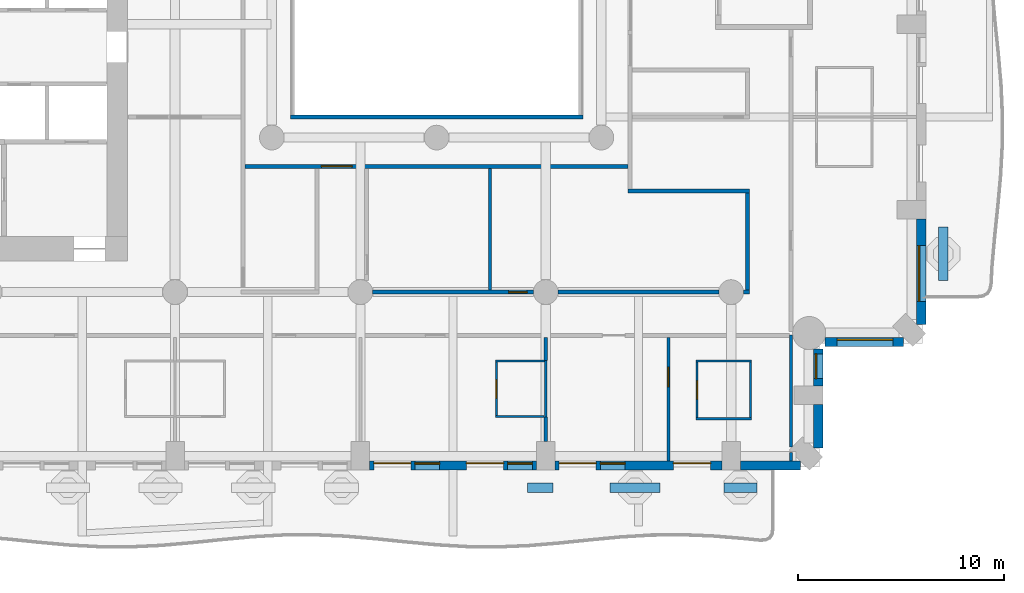
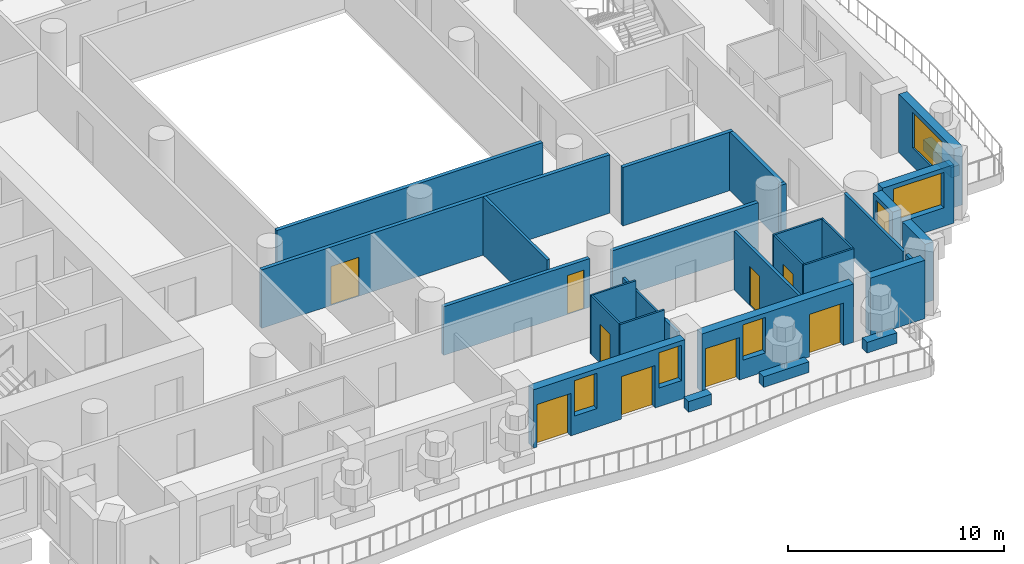
# One storey, part 5 of 19: 32 walls, 9 doors, 6 windows, 15 openings.
"""IFC4 building model written with IfcOpenShell, lengths in metres."""

from ifc_helpers import new_model, si_unit, direction, frame, frame_2d, origin, place, context, subcontext, project, spatial, rectangle, extrude, material, layer, layer_set, type_object, element, fill, save


model = new_model("IFC4")

# Units and contexts
model_context = context("Model", 3, precision=1e-05, world=origin(), true_north=direction((0.0, 1.0)))
body_context = subcontext(model_context, "Body", "Model", "MODEL_VIEW")
ifc_project = project(units=[si_unit("LENGTHUNIT", "METRE"), si_unit("AREAUNIT", "SQUARE_METRE"), si_unit("VOLUMEUNIT", "CUBIC_METRE"), si_unit("PLANEANGLEUNIT", "RADIAN"), si_unit("MASSUNIT", "GRAM", prefix="KILO")], contexts=[model_context])

# Site, building, storey
site_placement = place(None, origin())
site = spatial("IfcSite", under=ifc_project, at=site_placement, CompositionType="ELEMENT")
building_placement = place(site_placement, origin())
building = spatial("IfcBuilding", under=site, at=building_placement, Name="Cypress Arch Tower", CompositionType="ELEMENT")
storey_placement = place(building_placement, frame((0.0, 0.0, 66.300048828125)))
storey = spatial("IfcBuildingStorey", under=building, at=storey_placement, Name="L10", CompositionType="ELEMENT", Elevation=66.300048828125)

# Walls
ifc_material_1 = material(Name="Concrete C40/50, waterproofed", Category="concrete")
ifc_layer_1 = layer(ifc_material_1, 0.449951171875)
ifc_layer_set_1 = layer_set([ifc_layer_1], Name="Balcony planter wall PW450")
wall_type_1 = type_object("IfcWallType", Name="Balcony planter wall PW450", PredefinedType="SOLIDWALL", material=ifc_layer_set_1)
wall_1_placement = place(storey_placement, frame((5.419921875, -27.0, 0.0), z_axis=(0.0, 0.0, 1.0), x_axis=(1.0, 0.0, 0.0)))
element("IfcWall", 1, at=wall_1_placement, inside=storey, type_object=wall_type_1, Name="Balcony planter wall L10-A03.5", PredefinedType="SOLIDWALL", context=body_context, shape_type="SweptSolid", body=[
    extrude(rectangle(XDim=1.22998046875, YDim=0.449951171875, at=frame_2d((0.614990234375, 0.0))), origin(), (0.0, 0.0, 1.0), 0.599853515625),
])
wall_2_placement = place(storey_placement, frame((9.429931640625, -27.0, 0.0), z_axis=(0.0, 0.0, 1.0), x_axis=(1.0, 0.0, 0.0)))
element("IfcWall", 2, at=wall_2_placement, inside=storey, type_object=wall_type_1, Name="Balcony planter wall L10-A03.6", PredefinedType="SOLIDWALL", context=body_context, shape_type="SweptSolid", body=[
    extrude(rectangle(XDim=2.420166015625, YDim=0.449951171875, at=frame_2d((1.2099609375, 0.0))), origin(), (0.0, 0.0, 1.0), 0.599853515625),
])
wall_3_placement = place(storey_placement, frame((14.949951171875, -27.0, 0.0), z_axis=(0.0, 0.0, 1.0), x_axis=(1.0, 0.0, 0.0)))
element("IfcWall", 3, at=wall_3_placement, inside=storey, type_object=wall_type_1, Name="Balcony planter wall L10-A03.7", PredefinedType="SOLIDWALL", context=body_context, shape_type="SweptSolid", body=[
    extrude(rectangle(XDim=1.60009765625, YDim=0.449951171875, at=frame_2d((0.800048828125, 0.0))), origin(), (0.0, 0.0, 1.0), 0.599853515625),
])
wall_4_placement = place(storey_placement, frame((25.60009765625, -16.949951171875, 0.0), z_axis=(0.0, 0.0, 1.0), x_axis=(0.0, 1.0, 0.0)))
element("IfcWall", 4, at=wall_4_placement, inside=storey, type_object=wall_type_1, Name="Balcony planter wall L10-A06.1", PredefinedType="SOLIDWALL", context=body_context, shape_type="SweptSolid", body=[
    extrude(rectangle(XDim=2.6142578125, YDim=0.449951171875, at=frame_2d((1.30712890625, 0.0))), origin(), (0.0, 0.0, 1.0), 0.599853515625),
])

# Wall, openings, doors, windows
ifc_material_2 = material(Name="Brick (red buff blend)", Category="masonry")
ifc_layer_2 = layer(ifc_material_2, 0.449951171875)
ifc_layer_set_2 = layer_set([ifc_layer_2], Name="Brick pier and spandrel wall BW450")
wall_type_2 = type_object("IfcWallType", Name="Brick pier and spandrel wall BW450", PredefinedType="SOLIDWALL", material=ifc_layer_set_2)
wall_5_placement = place(storey_placement, frame((-2.25, -25.925048828125, 0.0), z_axis=(0.0, 0.0, 1.0), x_axis=(1.0, 0.0, 0.0)))
wall_5 = element("IfcWall", 5, at=wall_5_placement, inside=storey, type_object=wall_type_2, Name="Brick wall L10 A03.3", PredefinedType="SOLIDWALL", context=body_context, shape_type="SweptSolid", body=[
    extrude(rectangle(XDim=8.10009765625, YDim=0.449951171875, at=frame_2d((4.050048828125, 0.0))), origin(), (0.0, 0.0, 1.0), 3.300048828125),
])
opening_1_placement = place(wall_5_placement, frame((0.199951171875, 0.0, 0.0)))
opening_1 = element("IfcOpeningElement", 6, at=opening_1_placement, cuts=wall_5, Name="Opening D-L10-A03.3.1", PredefinedType="OPENING", context=body_context, shape_type="SweptSolid", body=[
    extrude(rectangle(XDim=1.800048828125, YDim=2.39990234375, at=frame_2d((0.89990234375, 1.199951171875))), frame((0.0, 0.23486328125, 0.0), z_axis=(0.0, -1.0, 0.0), x_axis=(1.0, 0.0, 0.0)), (0.0, 0.0, 1.0), 0.469970703125),
])
opening_2_placement = place(wall_5_placement, frame((2.199951171875, 0.0, 1.050048828125)))
opening_2 = element("IfcOpeningElement", 7, at=opening_2_placement, cuts=wall_5, Name="Opening W120HD", PredefinedType="OPENING", context=body_context, shape_type="SweptSolid", body=[
    extrude(rectangle(XDim=1.199951171875, YDim=2.0, at=frame_2d((0.60009765625, 1.0))), frame((0.0, 0.23486328125, 0.0), z_axis=(0.0, -1.0, 0.0), x_axis=(1.0, 0.0, 0.0)), (0.0, 0.0, 1.0), 0.469970703125),
])
opening_3_placement = place(wall_5_placement, frame((4.699951171875, 0.0, 0.0)))
opening_3 = element("IfcOpeningElement", 8, at=opening_3_placement, cuts=wall_5, Name="Opening D-L10-A03.3.2", PredefinedType="OPENING", context=body_context, shape_type="SweptSolid", body=[
    extrude(rectangle(XDim=1.800048828125, YDim=2.39990234375, at=frame_2d((0.89990234375, 1.199951171875))), frame((0.0, 0.23486328125, 0.0), z_axis=(0.0, -1.0, 0.0), x_axis=(1.0, 0.0, 0.0)), (0.0, 0.0, 1.0), 0.469970703125),
])
opening_4_placement = place(wall_5_placement, frame((6.699951171875, 0.0, 1.050048828125)))
opening_4 = element("IfcOpeningElement", 9, at=opening_4_placement, cuts=wall_5, Name="Opening W120HD", PredefinedType="OPENING", context=body_context, shape_type="SweptSolid", body=[
    extrude(rectangle(XDim=1.199951171875, YDim=2.0, at=frame_2d((0.60009765625, 1.0))), frame((0.0, 0.23486328125, 0.0), z_axis=(0.0, -1.0, 0.0), x_axis=(1.0, 0.0, 0.0)), (0.0, 0.0, 1.0), 0.469970703125),
])
ifc_material_3 = material(Name="Anodised aluminium, bronze finish, laminated low-emissivity double glazing, large-missile impact rated", Category="aluminium")
door_type_1 = type_object("IfcDoorType", Name="Balcony sliding door 1800x2400", OperationType="SLIDING_TO_LEFT", PredefinedType="DOOR", material=ifc_material_3)
door_1_placement = place(opening_1_placement, origin())
door_1 = element("IfcDoor", 10, at=door_1_placement, inside=storey, type_object=door_type_1, Name="Balcony door L10 A03.3.1", OperationType="SLIDING_TO_LEFT", OverallHeight=2.39990234375, OverallWidth=1.800048828125, PredefinedType="DOOR", context=body_context, shape_type="SweptSolid", body=[
    extrude(rectangle(XDim=1.800048828125, YDim=2.39990234375, at=frame_2d((0.89990234375, 1.199951171875))), frame((0.0, 0.1298828125, 0.0), z_axis=(0.0, -1.0, 0.0), x_axis=(1.0, 0.0, 0.0)), (0.0, 0.0, 1.0), 0.050048828125),
])
fill(opening_1, door_1)
door_2_placement = place(opening_3_placement, origin())
door_2 = element("IfcDoor", 11, at=door_2_placement, inside=storey, type_object=door_type_1, Name="Balcony door L10 A03.3.2", OperationType="SLIDING_TO_LEFT", OverallHeight=2.39990234375, OverallWidth=1.800048828125, PredefinedType="DOOR", context=body_context, shape_type="SweptSolid", body=[
    extrude(rectangle(XDim=1.800048828125, YDim=2.39990234375, at=frame_2d((0.89990234375, 1.199951171875))), frame((0.0, 0.1298828125, 0.0), z_axis=(0.0, -1.0, 0.0), x_axis=(1.0, 0.0, 0.0)), (0.0, 0.0, 1.0), 0.050048828125),
])
fill(opening_3, door_2)
ifc_material_4 = material(Name="Anodised aluminium, bronze finish, laminated low-emissivity double glazing, large-missile impact rated", Category="aluminium")
window_type_1 = type_object("IfcWindowType", Name="Window Hotel 1200x2000 debris-rated", PartitioningType="SINGLE_PANEL", PredefinedType="WINDOW", material=ifc_material_4)
window_1_placement = place(opening_2_placement, origin())
window_1 = element("IfcWindow", 12, at=window_1_placement, inside=storey, type_object=window_type_1, Name="Window L10 A03.3.1", OverallHeight=2.0, OverallWidth=1.199951171875, PartitioningType="SINGLE_PANEL", PredefinedType="WINDOW", context=body_context, shape_type="SweptSolid", body=[
    extrude(rectangle(XDim=1.199951171875, YDim=2.0, at=frame_2d((0.60009765625, 1.0))), frame((0.0, 0.135009765625, 0.0), z_axis=(0.0, -1.0, 0.0), x_axis=(1.0, 0.0, 0.0)), (0.0, 0.0, 1.0), 0.06005859375),
])
fill(opening_2, window_1)
window_2_placement = place(opening_4_placement, origin())
window_2 = element("IfcWindow", 13, at=window_2_placement, inside=storey, type_object=window_type_1, Name="Window L10 A03.3.2", OverallHeight=2.0, OverallWidth=1.199951171875, PartitioningType="SINGLE_PANEL", PredefinedType="WINDOW", context=body_context, shape_type="SweptSolid", body=[
    extrude(rectangle(XDim=1.199951171875, YDim=2.0, at=frame_2d((0.60009765625, 1.0))), frame((0.0, 0.135009765625, 0.0), z_axis=(0.0, -1.0, 0.0), x_axis=(1.0, 0.0, 0.0)), (0.0, 0.0, 1.0), 0.06005859375),
])
fill(opening_4, window_2)

# Wall, openings, doors, window
wall_6_placement = place(storey_placement, frame((6.75, -25.925048828125, 0.0), z_axis=(0.0, 0.0, 1.0), x_axis=(1.0, 0.0, 0.0)))
wall_6 = element("IfcWall", 14, at=wall_6_placement, inside=storey, type_object=wall_type_2, Name="Brick wall L10 A03.4", PredefinedType="SOLIDWALL", context=body_context, shape_type="SweptSolid", body=[
    extrude(rectangle(XDim=8.10009765625, YDim=0.449951171875, at=frame_2d((4.050048828125, 0.0))), origin(), (0.0, 0.0, 1.0), 3.300048828125),
])
opening_5_placement = place(wall_6_placement, frame((0.199951171875, 0.0, 0.0)))
opening_5 = element("IfcOpeningElement", 15, at=opening_5_placement, cuts=wall_6, Name="Opening D-L10-A03.4.1", PredefinedType="OPENING", context=body_context, shape_type="SweptSolid", body=[
    extrude(rectangle(XDim=1.800048828125, YDim=2.39990234375, at=frame_2d((0.89990234375, 1.199951171875))), frame((0.0, 0.23486328125, 0.0), z_axis=(0.0, -1.0, 0.0), x_axis=(1.0, 0.0, 0.0)), (0.0, 0.0, 1.0), 0.469970703125),
])
opening_6_placement = place(wall_6_placement, frame((2.199951171875, 0.0, 1.050048828125)))
opening_6 = element("IfcOpeningElement", 16, at=opening_6_placement, cuts=wall_6, Name="Opening W120HD", PredefinedType="OPENING", context=body_context, shape_type="SweptSolid", body=[
    extrude(rectangle(XDim=1.199951171875, YDim=2.0, at=frame_2d((0.60009765625, 1.0))), frame((0.0, 0.23486328125, 0.0), z_axis=(0.0, -1.0, 0.0), x_axis=(1.0, 0.0, 0.0)), (0.0, 0.0, 1.0), 0.469970703125),
])
opening_7_placement = place(wall_6_placement, frame((5.75, 0.0, 0.0)))
opening_7 = element("IfcOpeningElement", 17, at=opening_7_placement, cuts=wall_6, Name="Opening D-L10-A03.4.2", PredefinedType="OPENING", context=body_context, shape_type="SweptSolid", body=[
    extrude(rectangle(XDim=1.800048828125, YDim=2.39990234375, at=frame_2d((0.89990234375, 1.199951171875))), frame((0.0, 0.23486328125, 0.0), z_axis=(0.0, -1.0, 0.0), x_axis=(1.0, 0.0, 0.0)), (0.0, 0.0, 1.0), 0.469970703125),
])
door_3_placement = place(opening_5_placement, origin())
door_3 = element("IfcDoor", 18, at=door_3_placement, inside=storey, type_object=door_type_1, Name="Balcony door L10 A03.4.1", OperationType="SLIDING_TO_LEFT", OverallHeight=2.39990234375, OverallWidth=1.800048828125, PredefinedType="DOOR", context=body_context, shape_type="SweptSolid", body=[
    extrude(rectangle(XDim=1.800048828125, YDim=2.39990234375, at=frame_2d((0.89990234375, 1.199951171875))), frame((0.0, 0.1298828125, 0.0), z_axis=(0.0, -1.0, 0.0), x_axis=(1.0, 0.0, 0.0)), (0.0, 0.0, 1.0), 0.050048828125),
])
fill(opening_5, door_3)
door_4_placement = place(opening_7_placement, origin())
door_4 = element("IfcDoor", 19, at=door_4_placement, inside=storey, type_object=door_type_1, Name="Balcony door L10 A03.4.2", OperationType="SLIDING_TO_LEFT", OverallHeight=2.39990234375, OverallWidth=1.800048828125, PredefinedType="DOOR", context=body_context, shape_type="SweptSolid", body=[
    extrude(rectangle(XDim=1.800048828125, YDim=2.39990234375, at=frame_2d((0.89990234375, 1.199951171875))), frame((0.0, 0.1298828125, 0.0), z_axis=(0.0, -1.0, 0.0), x_axis=(1.0, 0.0, 0.0)), (0.0, 0.0, 1.0), 0.050048828125),
])
fill(opening_7, door_4)
window_3_placement = place(opening_6_placement, origin())
window_3 = element("IfcWindow", 20, at=window_3_placement, inside=storey, type_object=window_type_1, Name="Window L10 A03.4.1", OverallHeight=2.0, OverallWidth=1.199951171875, PartitioningType="SINGLE_PANEL", PredefinedType="WINDOW", context=body_context, shape_type="SweptSolid", body=[
    extrude(rectangle(XDim=1.199951171875, YDim=2.0, at=frame_2d((0.60009765625, 1.0))), frame((0.0, 0.135009765625, 0.0), z_axis=(0.0, -1.0, 0.0), x_axis=(1.0, 0.0, 0.0)), (0.0, 0.0, 1.0), 0.06005859375),
])
fill(opening_6, window_3)

# Walls
wall_7_placement = place(storey_placement, frame((15.75, -25.925048828125, 0.0), z_axis=(0.0, 0.0, 1.0), x_axis=(1.0, 0.0, 0.0)))
element("IfcWall", 21, at=wall_7_placement, inside=storey, type_object=wall_type_2, Name="Brick wall L10 A03.5", PredefinedType="SOLIDWALL", context=body_context, shape_type="SweptSolid", body=[
    extrude(rectangle(XDim=2.91357421875, YDim=0.449951171875, at=frame_2d((1.456787109375, 0.0))), origin(), (0.0, 0.0, 1.0), 3.300048828125),
])
wall_8_placement = place(storey_placement, frame((19.52490234375, -25.063720703125, 0.0), z_axis=(0.0, 0.0, 1.0), x_axis=(0.0, 1.0, 0.0)))
element("IfcWall", 22, at=wall_8_placement, inside=storey, type_object=wall_type_2, Name="Brick wall L10 A04.0", PredefinedType="SOLIDWALL", context=body_context, shape_type="SweptSolid", body=[
    extrude(rectangle(XDim=2.11376953125, YDim=0.449951171875, at=frame_2d((1.056884765625, 0.0))), origin(), (0.0, 0.0, 1.0), 3.300048828125),
])

# Wall, opening, window
wall_9_placement = place(storey_placement, frame((19.52490234375, -22.050048828125, 0.0), z_axis=(0.0, 0.0, 1.0), x_axis=(0.0, 1.0, 0.0)))
wall_9 = element("IfcWall", 23, at=wall_9_placement, inside=storey, type_object=wall_type_2, Name="Brick wall L10 A04.1", PredefinedType="SOLIDWALL", context=body_context, shape_type="SweptSolid", body=[
    extrude(rectangle(XDim=1.79150390625, YDim=0.449951171875, at=frame_2d((0.895751953125, 0.0))), origin(), (0.0, 0.0, 1.0), 3.300048828125),
])
opening_8_placement = place(wall_9_placement, frame((0.35009765625, 0.0, 1.050048828125)))
opening_8 = element("IfcOpeningElement", 24, at=opening_8_placement, cuts=wall_9, Name="Opening W120H", PredefinedType="OPENING", context=body_context, shape_type="SweptSolid", body=[
    extrude(rectangle(XDim=1.199951171875, YDim=2.0, at=frame_2d((0.60009765625, 1.0))), frame((0.0, 0.23486328125, 0.0), z_axis=(0.0, -1.0, 0.0), x_axis=(1.0, 0.0, 0.0)), (0.0, 0.0, 1.0), 0.469970703125),
])
ifc_material_5 = material(Name="Anodised aluminium, bronze finish, clear low-emissivity double glazing", Category="aluminium")
window_type_2 = type_object("IfcWindowType", Name="Window Hotel 1200x2000", PartitioningType="SINGLE_PANEL", PredefinedType="WINDOW", material=ifc_material_5)
window_4_placement = place(opening_8_placement, origin())
window_4 = element("IfcWindow", 25, at=window_4_placement, inside=storey, type_object=window_type_2, Name="Window L10 A04.1.1", OverallHeight=2.0, OverallWidth=1.199951171875, PartitioningType="SINGLE_PANEL", PredefinedType="WINDOW", context=body_context, shape_type="SweptSolid", body=[
    extrude(rectangle(XDim=1.199951171875, YDim=2.0, at=frame_2d((0.60009765625, 1.0))), frame((0.0, 0.135009765625, 0.0), z_axis=(0.0, -1.0, 0.0), x_axis=(1.0, 0.0, 0.0)), (0.0, 0.0, 1.0), 0.06005859375),
])
fill(opening_8, window_4)

wall_10_placement = place(storey_placement, frame((19.8583984375, -19.925048828125, 0.0), z_axis=(0.0, 0.0, 1.0), x_axis=(1.0, 0.0, 0.0)))
wall_10 = element("IfcWall", 26, at=wall_10_placement, inside=storey, type_object=wall_type_2, Name="Brick wall L10 A05.0", PredefinedType="SOLIDWALL", context=body_context, shape_type="SweptSolid", body=[
    extrude(rectangle(XDim=3.80517578125, YDim=0.449951171875, at=frame_2d((1.902587890625, 0.0))), origin(), (0.0, 0.0, 1.0), 3.300048828125),
])
opening_9_placement = place(wall_10_placement, frame((0.591552734375, 0.0, 1.050048828125)))
opening_9 = element("IfcOpeningElement", 27, at=opening_9_placement, cuts=wall_10, Name="Opening W270H", PredefinedType="OPENING", context=body_context, shape_type="SweptSolid", body=[
    extrude(rectangle(XDim=2.699951171875, YDim=2.0, at=frame_2d((1.35009765625, 1.0))), frame((0.0, 0.23486328125, 0.0), z_axis=(0.0, -1.0, 0.0), x_axis=(1.0, 0.0, 0.0)), (0.0, 0.0, 1.0), 0.469970703125),
])
ifc_material_6 = material(Name="Anodised aluminium, bronze finish, clear low-emissivity double glazing", Category="aluminium")
window_type_3 = type_object("IfcWindowType", Name="Window Hotel 2700x2000", PartitioningType="SINGLE_PANEL", PredefinedType="WINDOW", material=ifc_material_6)
window_5_placement = place(opening_9_placement, origin())
window_5 = element("IfcWindow", 28, at=window_5_placement, inside=storey, type_object=window_type_3, Name="Window L10 A05.0.1", OverallHeight=2.0, OverallWidth=2.699951171875, PartitioningType="SINGLE_PANEL", PredefinedType="WINDOW", context=body_context, shape_type="SweptSolid", body=[
    extrude(rectangle(XDim=2.699951171875, YDim=2.0, at=frame_2d((1.35009765625, 1.0))), frame((0.0, 0.135009765625, 0.0), z_axis=(0.0, -1.0, 0.0), x_axis=(1.0, 0.0, 0.0)), (0.0, 0.0, 1.0), 0.06005859375),
])
fill(opening_9, window_5)

wall_11_placement = place(storey_placement, frame((24.52490234375, -19.063720703125, 0.0), z_axis=(0.0, 0.0, 1.0), x_axis=(0.0, 1.0, 0.0)))
wall_11 = element("IfcWall", 29, at=wall_11_placement, inside=storey, type_object=wall_type_2, Name="Brick wall L10 A06.0", PredefinedType="SOLIDWALL", context=body_context, shape_type="SweptSolid", body=[
    extrude(rectangle(XDim=5.11376953125, YDim=0.449951171875, at=frame_2d((2.556884765625, 0.0))), origin(), (0.0, 0.0, 1.0), 3.300048828125),
])
opening_10_placement = place(wall_11_placement, frame((1.113525390625, 0.0, 1.050048828125)))
opening_10 = element("IfcOpeningElement", 30, at=opening_10_placement, cuts=wall_11, Name="Opening W270HD", PredefinedType="OPENING", context=body_context, shape_type="SweptSolid", body=[
    extrude(rectangle(XDim=2.699951171875, YDim=2.0, at=frame_2d((1.35009765625, 1.0))), frame((0.0, 0.23486328125, 0.0), z_axis=(0.0, -1.0, 0.0), x_axis=(1.0, 0.0, 0.0)), (0.0, 0.0, 1.0), 0.469970703125),
])
ifc_material_7 = material(Name="Anodised aluminium, bronze finish, laminated low-emissivity double glazing, large-missile impact rated", Category="aluminium")
window_type_4 = type_object("IfcWindowType", Name="Window Hotel 2700x2000 debris-rated", PartitioningType="SINGLE_PANEL", PredefinedType="WINDOW", material=ifc_material_7)
window_6_placement = place(opening_10_placement, origin())
window_6 = element("IfcWindow", 31, at=window_6_placement, inside=storey, type_object=window_type_4, Name="Window L10 A06.0.1", OverallHeight=2.0, OverallWidth=2.699951171875, PartitioningType="SINGLE_PANEL", PredefinedType="WINDOW", context=body_context, shape_type="SweptSolid", body=[
    extrude(rectangle(XDim=2.699951171875, YDim=2.0, at=frame_2d((1.35009765625, 1.0))), frame((0.0, 0.135009765625, 0.0), z_axis=(0.0, -1.0, 0.0), x_axis=(1.0, 0.0, 0.0)), (0.0, 0.0, 1.0), 0.06005859375),
])
fill(opening_10, window_6)

# Wall, opening, door
ifc_material_8 = material(Name="Concrete blockwork, plastered, rated", Category="masonry")
ifc_layer_3 = layer(ifc_material_8, 0.199951171875)
ifc_layer_set_3 = layer_set([ifc_layer_3], Name="Corridor wall FW200")
wall_type_3 = type_object("IfcWallType", Name="Corridor wall FW200", PredefinedType="PARTITIONING", material=ifc_layer_set_3)
wall_12_placement = place(storey_placement, frame((-8.300048828125, -11.39990234375, 0.0), z_axis=(0.0, 0.0, 1.0), x_axis=(1.0, 0.0, 0.0)))
wall_12 = element("IfcWall", 32, at=wall_12_placement, inside=storey, type_object=wall_type_3, Name="Corridor wall", PredefinedType="PARTITIONING", context=body_context, shape_type="SweptSolid", body=[
    extrude(rectangle(XDim=18.60009765625, YDim=0.199951171875, at=frame_2d((9.300048828125, 0.0))), origin(), (0.0, 0.0, 1.0), 3.300048828125),
])
opening_11_placement = place(wall_12_placement, frame((3.699951171875, 0.0, 0.0)))
opening_11 = element("IfcOpeningElement", 33, at=opening_11_placement, cuts=wall_12, Name="Opening D04", PredefinedType="OPENING", context=body_context, shape_type="SweptSolid", body=[
    extrude(rectangle(XDim=1.5, YDim=2.199951171875, at=frame_2d((0.75, 1.10009765625))), frame((0.0, 0.10986328125, 0.0), z_axis=(0.0, -1.0, 0.0), x_axis=(1.0, 0.0, 0.0)), (0.0, 0.0, 1.0), 0.219970703125),
])
ifc_material_9 = material(Name="Timber double door", Category="wood")
door_type_2 = type_object("IfcDoorType", Name="Double door D04 1500x2200", OperationType="DOUBLE_DOOR_SINGLE_SWING", PredefinedType="DOOR", material=ifc_material_9)
door_5_placement = place(opening_11_placement, origin())
door_5 = element("IfcDoor", 34, at=door_5_placement, inside=storey, type_object=door_type_2, Name="Double door", OperationType="DOUBLE_DOOR_SINGLE_SWING", OverallHeight=2.199951171875, OverallWidth=1.5, PredefinedType="DOOR", context=body_context, shape_type="SweptSolid", body=[
    extrude(rectangle(XDim=1.5, YDim=2.199951171875, at=frame_2d((0.75, 1.10009765625))), frame((0.0, 0.02490234375, 0.0), z_axis=(0.0, -1.0, 0.0), x_axis=(1.0, 0.0, 0.0)), (0.0, 0.0, 1.0), 0.050048828125),
])
fill(opening_11, door_5)

# Wall
wall_13_placement = place(storey_placement, frame((-6.10009765625, -9.0, 0.0), z_axis=(0.0, 0.0, 1.0), x_axis=(1.0, 0.0, 0.0)))
element("IfcWall", 35, at=wall_13_placement, inside=storey, type_object=wall_type_3, Name="Corridor wall", PredefinedType="PARTITIONING", context=body_context, shape_type="SweptSolid", body=[
    extrude(rectangle(XDim=14.2001953125, YDim=0.199951171875, at=frame_2d((7.10009765625, 0.0))), origin(), (0.0, 0.0, 1.0), 3.300048828125),
])

# Wall, opening, door
wall_14_placement = place(storey_placement, frame((-2.10009765625, -17.5, 0.0), z_axis=(0.0, 0.0, 1.0), x_axis=(1.0, 0.0, 0.0)))
wall_14 = element("IfcWall", 36, at=wall_14_placement, inside=storey, type_object=wall_type_3, Name="Corridor wall", PredefinedType="PARTITIONING", context=body_context, shape_type="SweptSolid", body=[
    extrude(rectangle(XDim=7.800048828125, YDim=0.199951171875, at=frame_2d((3.89990234375, 0.0))), origin(), (0.0, 0.0, 1.0), 2.75),
])
opening_12_placement = place(wall_14_placement, frame((6.60009765625, 0.0, 0.0)))
opening_12 = element("IfcOpeningElement", 37, at=opening_12_placement, cuts=wall_14, Name="Opening D05", PredefinedType="OPENING", context=body_context, shape_type="SweptSolid", body=[
    extrude(rectangle(XDim=0.89990234375, YDim=2.199951171875, at=frame_2d((0.449951171875, 1.10009765625))), frame((0.0, 0.10986328125, 0.0), z_axis=(0.0, -1.0, 0.0), x_axis=(1.0, 0.0, 0.0)), (0.0, 0.0, 1.0), 0.219970703125),
])
ifc_material_10 = material(Name="Timber flush door", Category="wood")
door_type_3 = type_object("IfcDoorType", Name="Service door D05 900x2200", OperationType="SINGLE_SWING_LEFT", PredefinedType="DOOR", material=ifc_material_10)
door_6_placement = place(opening_12_placement, origin())
door_6 = element("IfcDoor", 38, at=door_6_placement, inside=storey, type_object=door_type_3, Name="Service door", OperationType="SINGLE_SWING_RIGHT", OverallHeight=2.199951171875, OverallWidth=0.89990234375, PredefinedType="DOOR", context=body_context, shape_type="SweptSolid", body=[
    extrude(rectangle(XDim=0.89990234375, YDim=2.199951171875, at=frame_2d((0.449951171875, 1.10009765625))), frame((0.0, 0.02490234375, 0.0), z_axis=(0.0, -1.0, 0.0), x_axis=(1.0, 0.0, 0.0)), (0.0, 0.0, 1.0), 0.050048828125),
])
fill(opening_12, door_6)

# Walls
wall_15_placement = place(storey_placement, frame((6.89990234375, -17.5, 0.0), z_axis=(0.0, 0.0, 1.0), x_axis=(1.0, 0.0, 0.0)))
element("IfcWall", 39, at=wall_15_placement, inside=storey, type_object=wall_type_3, Name="Corridor wall", PredefinedType="PARTITIONING", context=body_context, shape_type="SweptSolid", body=[
    extrude(rectangle(XDim=7.800048828125, YDim=0.199951171875, at=frame_2d((3.89990234375, 0.0))), origin(), (0.0, 0.0, 1.0), 2.75),
])
wall_16_placement = place(storey_placement, frame((15.89990234375, -17.5, 0.0), z_axis=(0.0, 0.0, 1.0), x_axis=(1.0, 0.0, 0.0)))
element("IfcWall", 40, at=wall_16_placement, inside=storey, type_object=wall_type_3, Name="Corridor wall", PredefinedType="PARTITIONING", context=body_context, shape_type="SweptSolid", body=[
    extrude(rectangle(XDim=0.300048828125, YDim=0.199951171875, at=frame_2d((0.14990234375, 0.0))), origin(), (0.0, 0.0, 1.0), 3.300048828125),
])
wall_17_placement = place(storey_placement, frame((10.299072265625, -12.60009765625, 0.0), z_axis=(0.0, 0.0, 1.0), x_axis=(1.0, 0.0, 0.0)))
element("IfcWall", 41, at=wall_17_placement, inside=storey, type_object=wall_type_3, Name="Corridor wall", PredefinedType="PARTITIONING", context=body_context, shape_type="SweptSolid", body=[
    extrude(rectangle(XDim=5.90087890625, YDim=0.199951171875, at=frame_2d((2.950439453125, 0.0))), origin(), (0.0, 0.0, 1.0), 3.300048828125),
])
wall_18_placement = place(storey_placement, frame((16.10009765625, -17.39990234375, 0.0), z_axis=(0.0, 0.0, 1.0), x_axis=(0.0, 1.0, 0.0)))
element("IfcWall", 42, at=wall_18_placement, inside=storey, type_object=wall_type_3, Name="Corridor wall", PredefinedType="PARTITIONING", context=body_context, shape_type="SweptSolid", body=[
    extrude(rectangle(XDim=4.699951171875, YDim=0.199951171875, at=frame_2d((2.35009765625, 0.0))), origin(), (0.0, 0.0, 1.0), 3.300048828125),
])
ifc_material_11 = material(Name="Blockwork, plastered both sides", Category="masonry")
ifc_layer_4 = layer(ifc_material_11, 0.14990234375)
ifc_layer_set_4 = layer_set([ifc_layer_4], Name="Partition PW150")
wall_type_4 = type_object("IfcWallType", Name="Partition PW150", PredefinedType="PARTITIONING", material=ifc_layer_set_4)
wall_19_placement = place(storey_placement, frame((3.60009765625, -17.39990234375, 0.0), z_axis=(0.0, 0.0, 1.0), x_axis=(0.0, 1.0, 0.0)))
element("IfcWall", 43, at=wall_19_placement, inside=storey, type_object=wall_type_4, Name="Partition", PredefinedType="PARTITIONING", context=body_context, shape_type="SweptSolid", body=[
    extrude(rectangle(XDim=5.89990234375, YDim=0.14990234375, at=frame_2d((2.949951171875, 0.0))), origin(), (0.0, 0.0, 1.0), 3.300048828125),
])
wall_20_placement = place(storey_placement, frame((6.300048828125, -24.75, 0.0), z_axis=(0.0, 0.0, 1.0), x_axis=(0.0, 1.0, 0.0)))
element("IfcWall", 44, at=wall_20_placement, inside=storey, type_object=wall_type_4, Name="Partition", PredefinedType="PARTITIONING", context=body_context, shape_type="SweptSolid", body=[
    extrude(rectangle(XDim=1.179931640625, YDim=0.14990234375, at=frame_2d((0.58984375, 0.0))), origin(), (0.0, 0.0, 1.0), 2.75),
])
wall_21_placement = place(storey_placement, frame((6.300048828125, -20.830078125, 0.0), z_axis=(0.0, 0.0, 1.0), x_axis=(0.0, 1.0, 0.0)))
element("IfcWall", 45, at=wall_21_placement, inside=storey, type_object=wall_type_4, Name="Partition", PredefinedType="PARTITIONING", context=body_context, shape_type="SweptSolid", body=[
    extrude(rectangle(XDim=1.130126953125, YDim=0.14990234375, at=frame_2d((0.56494140625, 0.0))), origin(), (0.0, 0.0, 1.0), 2.75),
])

# Wall, opening, door
wall_22_placement = place(storey_placement, frame((12.25, -25.699951171875, 0.0), z_axis=(0.0, 0.0, 1.0), x_axis=(0.0, 1.0, 0.0)))
wall_22 = element("IfcWall", 46, at=wall_22_placement, inside=storey, type_object=wall_type_4, Name="Partition", PredefinedType="PARTITIONING", context=body_context, shape_type="SweptSolid", body=[
    extrude(rectangle(XDim=6.0, YDim=0.14990234375, at=frame_2d((3.0, 0.0))), origin(), (0.0, 0.0, 1.0), 3.300048828125),
])
opening_13_placement = place(wall_22_placement, frame((3.60009765625, 0.0, 0.0)))
opening_13 = element("IfcOpeningElement", 47, at=opening_13_placement, cuts=wall_22, Name="Opening D12", PredefinedType="OPENING", context=body_context, shape_type="SweptSolid", body=[
    extrude(rectangle(XDim=0.949951171875, YDim=2.199951171875, at=frame_2d((0.47509765625, 1.10009765625))), frame((0.0, 0.0849609375, 0.0), z_axis=(0.0, -1.0, 0.0), x_axis=(1.0, 0.0, 0.0)), (0.0, 0.0, 1.0), 0.169921875),
])
ifc_material_12 = material(Name="Timber flush door", Category="wood")
door_type_4 = type_object("IfcDoorType", Name="Room door D12 950x2200", OperationType="SINGLE_SWING_LEFT", PredefinedType="DOOR", material=ifc_material_12)
door_7_placement = place(opening_13_placement, origin())
door_7 = element("IfcDoor", 48, at=door_7_placement, inside=storey, type_object=door_type_4, Name="Room door", OperationType="SINGLE_SWING_RIGHT", OverallHeight=2.199951171875, OverallWidth=0.949951171875, PredefinedType="DOOR", context=body_context, shape_type="SweptSolid", body=[
    extrude(rectangle(XDim=0.949951171875, YDim=2.199951171875, at=frame_2d((0.47509765625, 1.10009765625))), frame((0.0, 0.02490234375, 0.0), z_axis=(0.0, -1.0, 0.0), x_axis=(1.0, 0.0, 0.0)), (0.0, 0.0, 1.0), 0.050048828125),
])
fill(opening_13, door_7)

# Walls
wall_23_placement = place(storey_placement, frame((18.199951171875, -25.699951171875, 0.0), z_axis=(0.0, 0.0, 1.0), x_axis=(0.0, 1.0, 0.0)))
element("IfcWall", 49, at=wall_23_placement, inside=storey, type_object=wall_type_4, Name="Partition", PredefinedType="PARTITIONING", context=body_context, shape_type="SweptSolid", body=[
    extrude(rectangle(XDim=0.403564453125, YDim=0.14990234375, at=frame_2d((0.20166015625, 0.0))), origin(), (0.0, 0.0, 1.0), 3.300048828125),
])
wall_24_placement = place(storey_placement, frame((18.199951171875, -25.023681640625, 0.0), z_axis=(0.0, 0.0, 1.0), x_axis=(0.0, 1.0, 0.0)))
element("IfcWall", 50, at=wall_24_placement, inside=storey, type_object=wall_type_4, Name="Partition", PredefinedType="PARTITIONING", context=body_context, shape_type="SweptSolid", body=[
    extrude(rectangle(XDim=5.443603515625, YDim=0.14990234375, at=frame_2d((2.7216796875, 0.0))), origin(), (0.0, 0.0, 1.0), 3.300048828125),
])

# Wall, opening, door
ifc_material_13 = material(Name="Moisture resistant board on steel studs, tiled", Category="steel")
ifc_layer_5 = layer(ifc_material_13, 0.10009765625)
ifc_layer_set_5 = layer_set([ifc_layer_5], Name="Wet wall PW100")
wall_type_5 = type_object("IfcWallType", Name="Wet wall PW100", PredefinedType="PARTITIONING", material=ifc_layer_set_5)
wall_25_placement = place(storey_placement, frame((3.904052734375, -23.5, 0.0), z_axis=(0.0, 0.0, 1.0), x_axis=(0.0, 1.0, 0.0)))
wall_25 = element("IfcWall", 51, at=wall_25_placement, inside=storey, type_object=wall_type_5, Name="Wet wall", PredefinedType="PARTITIONING", context=body_context, shape_type="SweptSolid", body=[
    extrude(rectangle(XDim=2.60009765625, YDim=0.10009765625, at=frame_2d((1.300048828125, 0.0))), origin(), (0.0, 0.0, 1.0), 3.300048828125),
])
opening_14_placement = place(wall_25_placement, frame((0.85009765625, 0.0, 0.0)))
opening_14 = element("IfcOpeningElement", 52, at=opening_14_placement, cuts=wall_25, Name="Opening D03", PredefinedType="OPENING", context=body_context, shape_type="SweptSolid", body=[
    extrude(rectangle(XDim=0.89990234375, YDim=2.199951171875, at=frame_2d((0.449951171875, 1.10009765625))), frame((0.0, 0.06005859375, 0.0), z_axis=(0.0, -1.0, 0.0), x_axis=(1.0, 0.0, 0.0)), (0.0, 0.0, 1.0), 0.1201171875),
])
ifc_material_14 = material(Name="Timber flush door, moisture resistant", Category="wood")
door_type_5 = type_object("IfcDoorType", Name="Bathroom door D03 900x2200", OperationType="SINGLE_SWING_LEFT", PredefinedType="DOOR", material=ifc_material_14)
door_8_placement = place(opening_14_placement, origin())
door_8 = element("IfcDoor", 53, at=door_8_placement, inside=storey, type_object=door_type_5, Name="Bathroom door", OperationType="SINGLE_SWING_LEFT", OverallHeight=2.199951171875, OverallWidth=0.89990234375, PredefinedType="DOOR", context=body_context, shape_type="SweptSolid", body=[
    extrude(rectangle(XDim=0.89990234375, YDim=2.199951171875, at=frame_2d((0.449951171875, 1.10009765625))), frame((0.0, 0.02490234375, 0.0), z_axis=(0.0, -1.0, 0.0), x_axis=(1.0, 0.0, 0.0)), (0.0, 0.0, 1.0), 0.050048828125),
])
fill(opening_14, door_8)

# Walls
wall_26_placement = place(storey_placement, frame((3.85400390625, -23.550048828125, 0.0), z_axis=(0.0, 0.0, 1.0), x_axis=(1.0, 0.0, 0.0)))
element("IfcWall", 54, at=wall_26_placement, inside=storey, type_object=wall_type_5, Name="Wet wall", PredefinedType="PARTITIONING", context=body_context, shape_type="SweptSolid", body=[
    extrude(rectangle(XDim=2.37109375, YDim=0.10009765625, at=frame_2d((1.185546875, 0.0))), origin(), (0.0, 0.0, 1.0), 3.300048828125),
])
wall_27_placement = place(storey_placement, frame((3.85400390625, -20.85009765625, 0.0), z_axis=(0.0, 0.0, 1.0), x_axis=(1.0, 0.0, 0.0)))
element("IfcWall", 55, at=wall_27_placement, inside=storey, type_object=wall_type_5, Name="Wet wall", PredefinedType="PARTITIONING", context=body_context, shape_type="SweptSolid", body=[
    extrude(rectangle(XDim=2.39599609375, YDim=0.10009765625, at=frame_2d((1.197998046875, 0.0))), origin(), (0.0, 0.0, 1.0), 3.300048828125),
])
wall_28_placement = place(storey_placement, frame((6.300048828125, -23.570068359375, 0.0), z_axis=(0.0, 0.0, 1.0), x_axis=(0.0, 1.0, 0.0)))
element("IfcWall", 56, at=wall_28_placement, inside=storey, type_object=wall_type_5, Name="Wet wall", PredefinedType="PARTITIONING", context=body_context, shape_type="SweptSolid", body=[
    extrude(rectangle(XDim=2.739990234375, YDim=0.10009765625, at=frame_2d((1.3701171875, 0.0))), origin(), (0.0, 0.0, 1.0), 2.75),
])

# Wall, opening, door
wall_29_placement = place(storey_placement, frame((13.64599609375, -23.60009765625, 0.0), z_axis=(0.0, 0.0, 1.0), x_axis=(0.0, 1.0, 0.0)))
wall_29 = element("IfcWall", 57, at=wall_29_placement, inside=storey, type_object=wall_type_5, Name="Wet wall", PredefinedType="PARTITIONING", context=body_context, shape_type="SweptSolid", body=[
    extrude(rectangle(XDim=2.7001953125, YDim=0.10009765625, at=frame_2d((1.35009765625, 0.0))), origin(), (0.0, 0.0, 1.0), 3.300048828125),
])
opening_15_placement = place(wall_29_placement, frame((0.89990234375, 0.0, 0.0)))
opening_15 = element("IfcOpeningElement", 58, at=opening_15_placement, cuts=wall_29, Name="Opening D03", PredefinedType="OPENING", context=body_context, shape_type="SweptSolid", body=[
    extrude(rectangle(XDim=0.89990234375, YDim=2.199951171875, at=frame_2d((0.449951171875, 1.10009765625))), frame((0.0, 0.06005859375, 0.0), z_axis=(0.0, -1.0, 0.0), x_axis=(1.0, 0.0, 0.0)), (0.0, 0.0, 1.0), 0.1201171875),
])
door_9_placement = place(opening_15_placement, origin())
door_9 = element("IfcDoor", 59, at=door_9_placement, inside=storey, type_object=door_type_5, Name="Bathroom door", OperationType="SINGLE_SWING_LEFT", OverallHeight=2.199951171875, OverallWidth=0.89990234375, PredefinedType="DOOR", context=body_context, shape_type="SweptSolid", body=[
    extrude(rectangle(XDim=0.89990234375, YDim=2.199951171875, at=frame_2d((0.449951171875, 1.10009765625))), frame((0.0, 0.02490234375, 0.0), z_axis=(0.0, -1.0, 0.0), x_axis=(1.0, 0.0, 0.0)), (0.0, 0.0, 1.0), 0.050048828125),
])
fill(opening_15, door_9)

# Walls
for number, where, z_axis, x_axis, name in (
    (60, (13.595947265625, -23.64990234375, 0.0), (0.0, 0.0, 1.0), (1.0, 0.0, 0.0), "Wet wall"),
    (61, (13.595947265625, -20.85009765625, 0.0), (0.0, 0.0, 1.0), (1.0, 0.0, 0.0), "Wet wall"),
):
    element("IfcWall", number, at=place(storey_placement, frame(where, z_axis=z_axis, x_axis=x_axis)), inside=storey, type_object=wall_type_5, Name=name, PredefinedType="PARTITIONING", context=body_context, shape_type="SweptSolid", body=[
        extrude(rectangle(XDim=2.699951171875, YDim=0.10009765625, at=frame_2d((1.35009765625, 0.0))), origin(), (0.0, 0.0, 1.0), 3.300048828125),
    ])
wall_30_placement = place(storey_placement, frame((16.24609375, -23.60009765625, 0.0), z_axis=(0.0, 0.0, 1.0), x_axis=(0.0, 1.0, 0.0)))
element("IfcWall", 62, at=wall_30_placement, inside=storey, type_object=wall_type_5, Name="Wet wall", PredefinedType="PARTITIONING", context=body_context, shape_type="SweptSolid", body=[
    extrude(rectangle(XDim=2.7001953125, YDim=0.10009765625, at=frame_2d((1.35009765625, 0.0))), origin(), (0.0, 0.0, 1.0), 3.300048828125),
])

save(model, "model.ifc")
